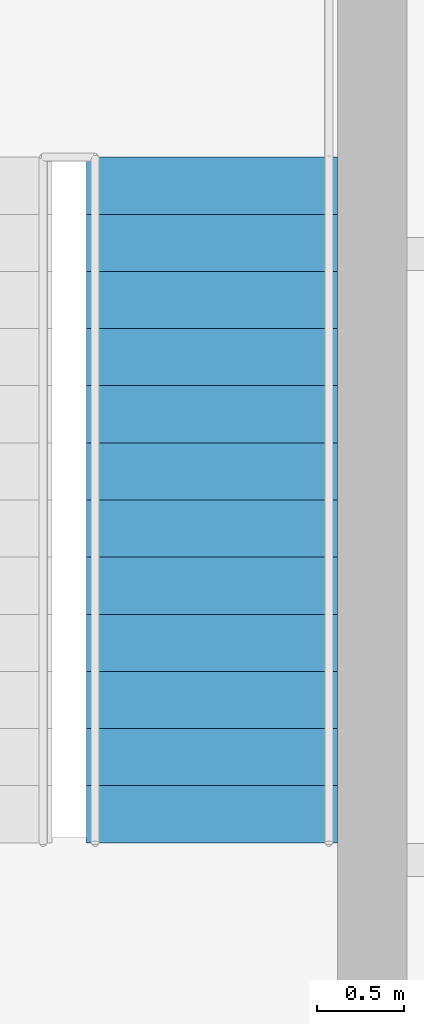
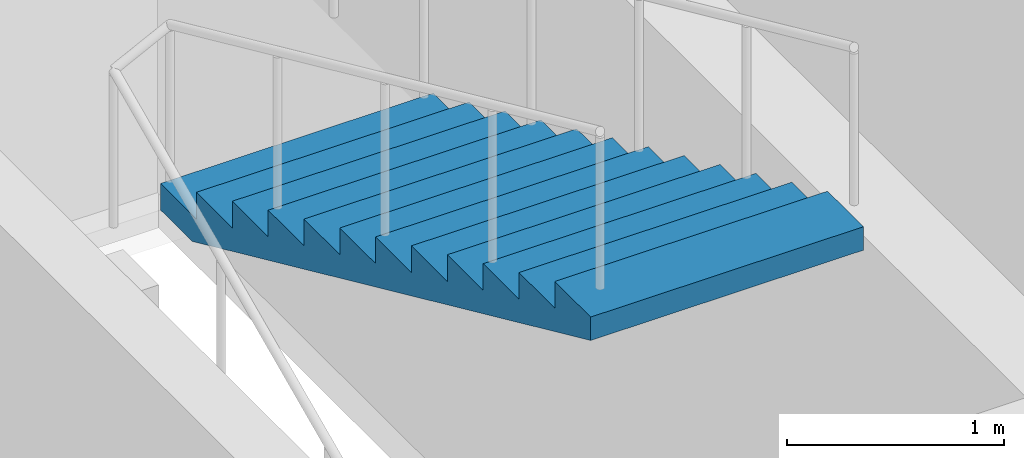
# One storey, part 9 of 10: 1 stair flight, 1 element without a shape of its own.
"""IFC4 building model written with IfcOpenShell, lengths in metres."""

from ifc_helpers import new_model, si_unit, direction, frame, origin, place, context, subcontext, project, spatial, polygons, material, type_object, element, aggregate, save


model = new_model("IFC4")

# Units and contexts
model_context = context("Model", 3, precision=1e-05, world=origin(), true_north=direction((0.0, 1.0)))
body_context = subcontext(model_context, "Body", "Model", "MODEL_VIEW")
ifc_project = project(units=[si_unit("LENGTHUNIT", "METRE"), si_unit("AREAUNIT", "SQUARE_METRE"), si_unit("VOLUMEUNIT", "CUBIC_METRE"), si_unit("PLANEANGLEUNIT", "RADIAN"), si_unit("MASSUNIT", "GRAM", prefix="KILO")], contexts=[model_context])

# Site, building, storey
site_placement = place(None, origin())
site = spatial("IfcSite", under=ifc_project, at=site_placement, CompositionType="ELEMENT")
building_placement = place(site_placement, origin())
building = spatial("IfcBuilding", under=site, at=building_placement, Name="Njiva Tower", CompositionType="ELEMENT")
storey_placement = place(building_placement, frame((0.0, 0.0, 272.7)))
storey = spatial("IfcBuildingStorey", under=building, at=storey_placement, Name="L62", CompositionType="ELEMENT", Elevation=272.7)

# Stair, stair flight
ifc_material = material(Name="Concrete C40/50", Category="concrete")
stair_type = type_object("IfcStairType", Name="ST3 Exit stair 1450", PredefinedType="HALF_TURN_STAIR", material=ifc_material)
stair_placement = place(storey_placement, origin())
stair = element("IfcStair", 1, at=stair_placement, inside=storey, type_object=stair_type, Name="Stair B", PredefinedType="HALF_TURN_STAIR")
stair_flight_type = type_object("IfcStairFlightType", Name="FL3 Stair flight 1450", PredefinedType="STRAIGHT", material=ifc_material)
stair_flight_placement = place(storey_placement, frame((13.375, 15.06, 1.95), z_axis=(0.0, 0.0, 1.0), x_axis=(0.0, -1.0, 0.0)))
stair_flight = element("IfcStairFlight", 2, at=stair_flight_placement, type_object=stair_flight_type, Name="ST-B flight 2", NumberOfRisers=13, NumberOfTreads=12, PredefinedType="STRAIGHT", RiserHeight=0.15, TreadLength=0.33, context=body_context, shape_type="Tessellation", body=[
    polygons([(0.0, 0.725, 0.0), (0.0, 0.3625, 0.0), (0.0, 0.0, 0.0), (0.0, -0.3625, 0.0), (0.0, -0.725, 0.0), (0.0, 0.725, 0.15), (0.0, 0.3625, 0.15), (0.0, 0.0, 0.15), (0.0, -0.3625, 0.15), (0.0, -0.725, 0.15), (0.33, 0.725, 0.15), (0.33, 0.3625, 0.15), (0.33, 0.0, 0.15), (0.33, -0.3625, 0.15), (0.33, -0.725, 0.15), (0.33, 0.725, 0.3), (0.33, 0.3625, 0.3), (0.33, 0.0, 0.3), (0.33, -0.3625, 0.3), (0.33, -0.725, 0.3), (0.66, 0.725, 0.3), (0.66, 0.3625, 0.3), (0.66, 0.0, 0.3), (0.66, -0.3625, 0.3), (0.66, -0.725, 0.3), (0.66, 0.725, 0.45), (0.66, 0.3625, 0.45), (0.66, 0.0, 0.45), (0.66, -0.3625, 0.45), (0.66, -0.725, 0.45), (0.99, 0.725, 0.45), (0.99, 0.3625, 0.45), (0.99, 0.0, 0.45), (0.99, -0.3625, 0.45), (0.99, -0.725, 0.45), (0.99, 0.725, 0.6), (0.99, 0.3625, 0.6), (0.99, 0.0, 0.6), (0.99, -0.3625, 0.6), (0.99, -0.725, 0.6), (1.32, 0.725, 0.6), (1.32, 0.3625, 0.6), (1.32, 0.0, 0.6), (1.32, -0.3625, 0.6), (1.32, -0.725, 0.6), (1.32, 0.725, 0.75), (1.32, 0.3625, 0.75), (1.32, 0.0, 0.75), (1.32, -0.3625, 0.75), (1.32, -0.725, 0.75), (1.65, 0.725, 0.75), (1.65, 0.3625, 0.75), (1.65, 0.0, 0.75), (1.65, -0.3625, 0.75), (1.65, -0.725, 0.75), (1.65, 0.725, 0.9), (1.65, 0.3625, 0.9), (1.65, 0.0, 0.9), (1.65, -0.3625, 0.9), (1.65, -0.725, 0.9), (1.98, 0.725, 0.9), (1.98, 0.3625, 0.9), (1.98, 0.0, 0.9), (1.98, -0.3625, 0.9), (1.98, -0.725, 0.9), (1.98, 0.725, 1.05), (1.98, 0.3625, 1.05), (1.98, 0.0, 1.05), (1.98, -0.3625, 1.05), (1.98, -0.725, 1.05), (2.31, 0.725, 1.05), (2.31, 0.3625, 1.05), (2.31, 0.0, 1.05), (2.31, -0.3625, 1.05), (2.31, -0.725, 1.05), (2.31, 0.725, 1.2), (2.31, 0.3625, 1.2), (2.31, 0.0, 1.2), (2.31, -0.3625, 1.2), (2.31, -0.725, 1.2), (2.64, 0.725, 1.2), (2.64, 0.3625, 1.2), (2.64, 0.0, 1.2), (2.64, -0.3625, 1.2), (2.64, -0.725, 1.2), (2.64, 0.725, 1.35), (2.64, 0.3625, 1.35), (2.64, 0.0, 1.35), (2.64, -0.3625, 1.35), (2.64, -0.725, 1.35), (2.97, 0.725, 1.35), (2.97, 0.3625, 1.35), (2.97, 0.0, 1.35), (2.97, -0.3625, 1.35), (2.97, -0.725, 1.35), (2.97, 0.725, 1.5), (2.97, 0.3625, 1.5), (2.97, 0.0, 1.5), (2.97, -0.3625, 1.5), (2.97, -0.725, 1.5), (3.3, 0.725, 1.5), (3.3, 0.3625, 1.5), (3.3, 0.0, 1.5), (3.3, -0.3625, 1.5), (3.3, -0.725, 1.5), (3.3, 0.725, 1.65), (3.3, 0.3625, 1.65), (3.3, 0.0, 1.65), (3.3, -0.3625, 1.65), (3.3, -0.725, 1.65), (3.63, 0.725, 1.65), (3.63, 0.3625, 1.65), (3.63, 0.0, 1.65), (3.63, -0.3625, 1.65), (3.63, -0.725, 1.65), (3.63, 0.725, 1.8), (3.63, 0.3625, 1.8), (3.63, 0.0, 1.8), (3.63, -0.3625, 1.8), (3.63, -0.725, 1.8), (3.96, 0.725, 1.8), (3.96, 0.3625, 1.8), (3.96, 0.0, 1.8), (3.96, -0.3625, 1.8), (3.96, -0.725, 1.8), (3.96, 0.725, 1.6682), (3.96, 0.3625, 1.6682), (3.96, 0.0, 1.6682), (3.96, -0.3625, 1.6682), (3.96, -0.725, 1.6682), (0.29, 0.725, 0.0), (0.29, 0.3625, 0.0), (0.29, 0.0, 0.0), (0.29, -0.3625, 0.0), (0.29, -0.725, 0.0)], [[[1, 6, 11, 16, 21, 26, 31, 36, 41, 46, 51, 56, 61, 66, 71, 76, 81, 86, 91, 96, 101, 106, 111, 116, 121, 126, 131]], [[135, 130, 125, 120, 115, 110, 105, 100, 95, 90, 85, 80, 75, 70, 65, 60, 55, 50, 45, 40, 35, 30, 25, 20, 15, 10, 5]], [[6, 1, 2, 7]], [[7, 2, 3, 8]], [[8, 3, 4, 9]], [[9, 4, 5, 10]], [[11, 6, 7, 12]], [[12, 7, 8, 13]], [[13, 8, 9, 14]], [[14, 9, 10, 15]], [[16, 11, 12, 17]], [[17, 12, 13, 18]], [[18, 13, 14, 19]], [[19, 14, 15, 20]], [[21, 16, 17, 22]], [[22, 17, 18, 23]], [[23, 18, 19, 24]], [[24, 19, 20, 25]], [[26, 21, 22, 27]], [[27, 22, 23, 28]], [[28, 23, 24, 29]], [[29, 24, 25, 30]], [[31, 26, 27, 32]], [[32, 27, 28, 33]], [[33, 28, 29, 34]], [[34, 29, 30, 35]], [[36, 31, 32, 37]], [[37, 32, 33, 38]], [[38, 33, 34, 39]], [[39, 34, 35, 40]], [[41, 36, 37, 42]], [[42, 37, 38, 43]], [[43, 38, 39, 44]], [[44, 39, 40, 45]], [[46, 41, 42, 47]], [[47, 42, 43, 48]], [[48, 43, 44, 49]], [[49, 44, 45, 50]], [[51, 46, 47, 52]], [[52, 47, 48, 53]], [[53, 48, 49, 54]], [[54, 49, 50, 55]], [[56, 51, 52, 57]], [[57, 52, 53, 58]], [[58, 53, 54, 59]], [[59, 54, 55, 60]], [[61, 56, 57, 62]], [[62, 57, 58, 63]], [[63, 58, 59, 64]], [[64, 59, 60, 65]], [[66, 61, 62, 67]], [[67, 62, 63, 68]], [[68, 63, 64, 69]], [[69, 64, 65, 70]], [[71, 66, 67, 72]], [[72, 67, 68, 73]], [[73, 68, 69, 74]], [[74, 69, 70, 75]], [[76, 71, 72, 77]], [[77, 72, 73, 78]], [[78, 73, 74, 79]], [[79, 74, 75, 80]], [[81, 76, 77, 82]], [[82, 77, 78, 83]], [[83, 78, 79, 84]], [[84, 79, 80, 85]], [[86, 81, 82, 87]], [[87, 82, 83, 88]], [[88, 83, 84, 89]], [[89, 84, 85, 90]], [[91, 86, 87, 92]], [[92, 87, 88, 93]], [[93, 88, 89, 94]], [[94, 89, 90, 95]], [[96, 91, 92, 97]], [[97, 92, 93, 98]], [[98, 93, 94, 99]], [[99, 94, 95, 100]], [[101, 96, 97, 102]], [[102, 97, 98, 103]], [[103, 98, 99, 104]], [[104, 99, 100, 105]], [[106, 101, 102, 107]], [[107, 102, 103, 108]], [[108, 103, 104, 109]], [[109, 104, 105, 110]], [[111, 106, 107, 112]], [[112, 107, 108, 113]], [[113, 108, 109, 114]], [[114, 109, 110, 115]], [[116, 111, 112, 117]], [[117, 112, 113, 118]], [[118, 113, 114, 119]], [[119, 114, 115, 120]], [[121, 116, 117, 122]], [[122, 117, 118, 123]], [[123, 118, 119, 124]], [[124, 119, 120, 125]], [[126, 121, 122, 127]], [[127, 122, 123, 128]], [[128, 123, 124, 129]], [[129, 124, 125, 130]], [[131, 126, 127, 132]], [[132, 127, 128, 133]], [[133, 128, 129, 134]], [[134, 129, 130, 135]], [[1, 131, 132, 2]], [[2, 132, 133, 3]], [[3, 133, 134, 4]], [[4, 134, 135, 5]]], closed=True),
])
aggregate(stair, [stair_flight])

save(model, "model.ifc")
